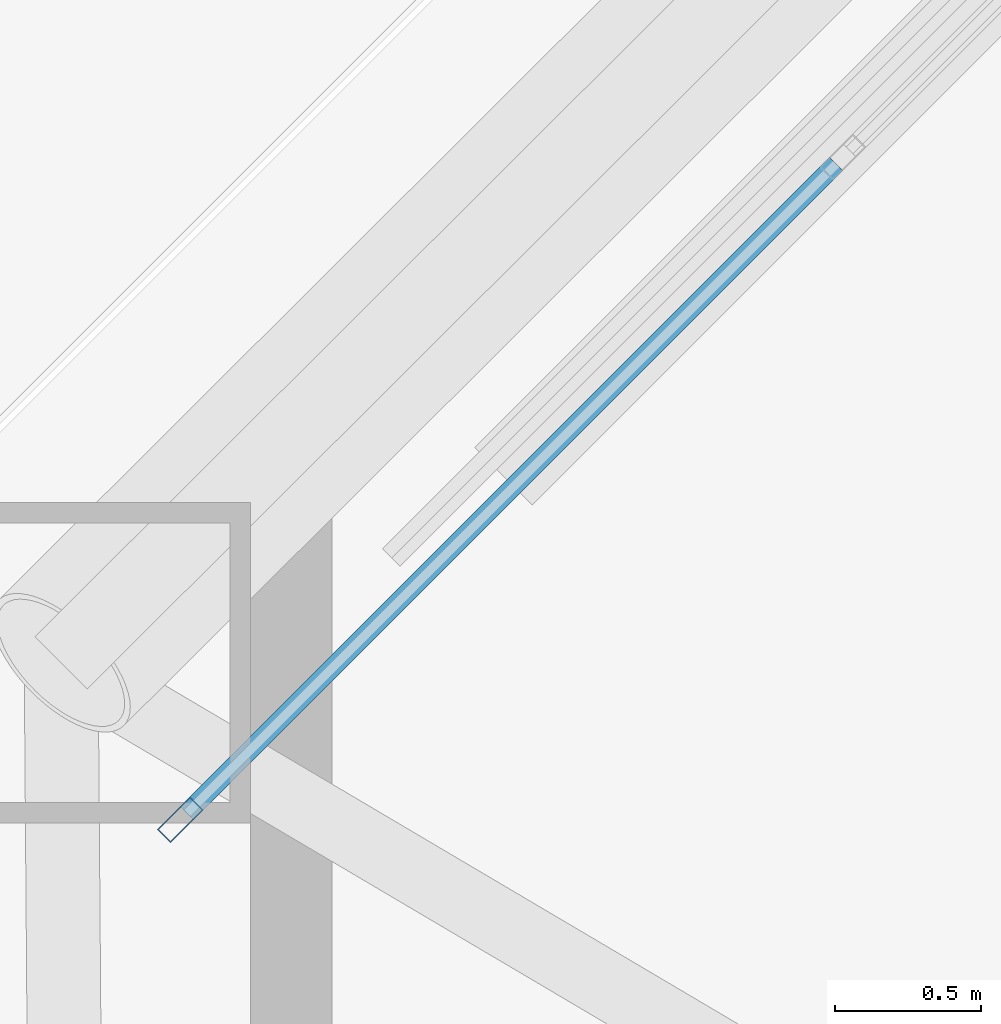
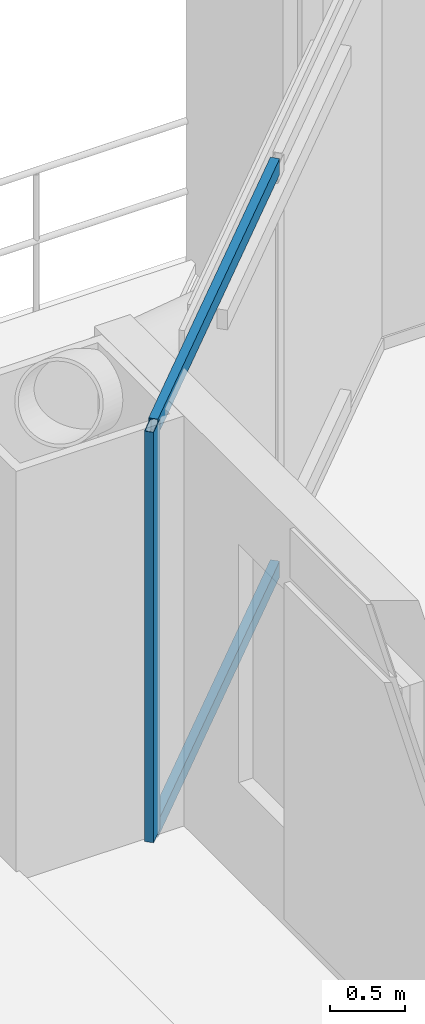
# One storey, part 17 of 34: 3 members, 1 element without a shape of its own.
"""IFC4 building model written with IfcOpenShell, lengths in metres."""

from ifc_helpers import new_model, si_unit, direction, frame, origin, origin_2d, place, context, subcontext, project, spatial, hollow_rectangle, extrude, material, layer, layer_set, material_profile, profile_set, type_object, element, aggregate, save


model = new_model("IFC4")

# Units and contexts
model_context = context("Model", 3, precision=1e-05, world=origin(), true_north=direction((0.0, 1.0)))
body_context = subcontext(model_context, "Body", "Model", "MODEL_VIEW")
ifc_project = project(units=[si_unit("LENGTHUNIT", "METRE"), si_unit("AREAUNIT", "SQUARE_METRE"), si_unit("VOLUMEUNIT", "CUBIC_METRE"), si_unit("PLANEANGLEUNIT", "RADIAN"), si_unit("MASSUNIT", "GRAM", prefix="KILO")], contexts=[model_context])

# Site, building, storey
site_placement = place(None, origin())
site = spatial("IfcSite", under=ifc_project, at=site_placement, CompositionType="ELEMENT")
building_placement = place(site_placement, origin())
building = spatial("IfcBuilding", under=site, at=building_placement, Name="Caelvoria Tower", CompositionType="ELEMENT")
storey_placement = place(building_placement, frame((0.0, 0.0, 28.0)))
storey = spatial("IfcBuildingStorey", under=building, at=storey_placement, Name="L06", CompositionType="ELEMENT", Elevation=28.0)

# Curtain wall, members
ifc_material_1 = material(Name="Anodised Bronze Aluminium and Low-E Glass", Category="aluminium")
ifc_layer = layer(ifc_material_1, 0.18505859375, Name="Anodised Bronze Aluminium and Low-E Glass")
ifc_layer_set = layer_set([ifc_layer], Name="CW System 2 Lower Tower Bronze Unitised Facade - Anodised Bronze Aluminium and Low-E Glass")
curtain_wall_type = type_object("IfcCurtainWallType", Name="CW System 2 Lower Tower Bronze Unitised Facade", PredefinedType="NOTDEFINED", material=ifc_layer_set)
curtain_wall_placement = place(storey_placement, origin())
curtain_wall = element("IfcCurtainWall", 1, at=curtain_wall_placement, inside=storey, type_object=curtain_wall_type, Name="CW-02 Curtain Wall L06-E5", PredefinedType="NOTDEFINED")
ifc_material_2 = material(Name="Anodised Bronze Architectural Aluminium", Category="aluminium")
ifc_material_profile_1 = material_profile(ifc_material_2, hollow_rectangle(XDim=0.06494140625, YDim=0.159912109375, WallThickness=0.00390625, at=origin_2d()), Name="Anodised Bronze Architectural Aluminium")
ifc_profile_set_1 = profile_set([ifc_material_profile_1], Name="CW_MULL_65X160 - Anodised Bronze Architectural Aluminium")
member_type_1 = type_object("IfcMemberType", Name="Curtain Wall Mullion 65x160 Bronze Aluminium", PredefinedType="MULLION", material=ifc_profile_set_1)
member_1_placement = place(storey_placement, frame((22.19873046875, 48.447265625, 0.0), z_axis=(0.0, 0.0, 1.0), x_axis=(0.707106781187, -0.707106781187, 0.0)))
member_1 = element("IfcMember", 2, at=member_1_placement, type_object=member_type_1, Name="CW-02 mullion 3", PredefinedType="MULLION", context=body_context, shape_type="SweptSolid", body=[
    extrude(hollow_rectangle(XDim=0.06494140625, YDim=0.159912109375, WallThickness=0.00390625, at=origin_2d()), origin(), (0.0, 0.0, 1.0), 3.360107421875),
])
ifc_material_profile_2 = material_profile(ifc_material_2, hollow_rectangle(XDim=0.06494140625, YDim=0.1298828125, WallThickness=0.00341796875, at=origin_2d()), Name="Anodised Bronze Architectural Aluminium")
ifc_profile_set_2 = profile_set([ifc_material_profile_2], Name="CW_TRAN_65X130 - Anodised Bronze Architectural Aluminium")
member_type_2 = type_object("IfcMemberType", Name="Curtain Wall Transom 65x130 Bronze Aluminium", PredefinedType="USERDEFINED", material=ifc_profile_set_2)
member_2_placement = place(storey_placement, frame((24.452880859375, 50.701171875, 0.032470703125), z_axis=(-0.707145468468, -0.707068091789, 0.0), x_axis=(0.707068091789, -0.707145468468, 0.0)))
member_2 = element("IfcMember", 3, at=member_2_placement, type_object=member_type_2, Name="CW-02 transom 2.1", ObjectType="TRANSOM", PredefinedType="USERDEFINED", context=body_context, shape_type="SweptSolid", body=[
    extrude(hollow_rectangle(XDim=0.06494140625, YDim=0.1298828125, WallThickness=0.00341796875, at=origin_2d()), origin(), (0.0, 0.0, 1.0), 3.1552734375),
])
member_3_placement = place(storey_placement, frame((24.452880859375, 50.701171875, 3.327392578125), z_axis=(-0.707145468468, -0.707068091789, 0.0), x_axis=(0.707068091789, -0.707145468468, 0.0)))
member_3 = element("IfcMember", 4, at=member_3_placement, type_object=member_type_2, Name="CW-02 transom 2.2", ObjectType="TRANSOM", PredefinedType="USERDEFINED", context=body_context, shape_type="SweptSolid", body=[
    extrude(hollow_rectangle(XDim=0.06494140625, YDim=0.1298828125, WallThickness=0.00341796875, at=origin_2d()), origin(), (0.0, 0.0, 1.0), 3.1552734375),
])
aggregate(curtain_wall, [member_1, member_2, member_3])

save(model, "model.ifc")
